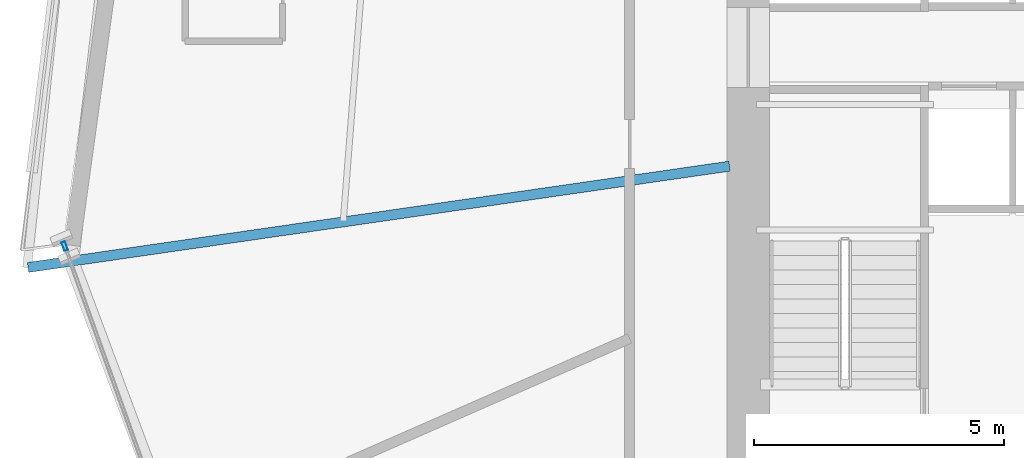
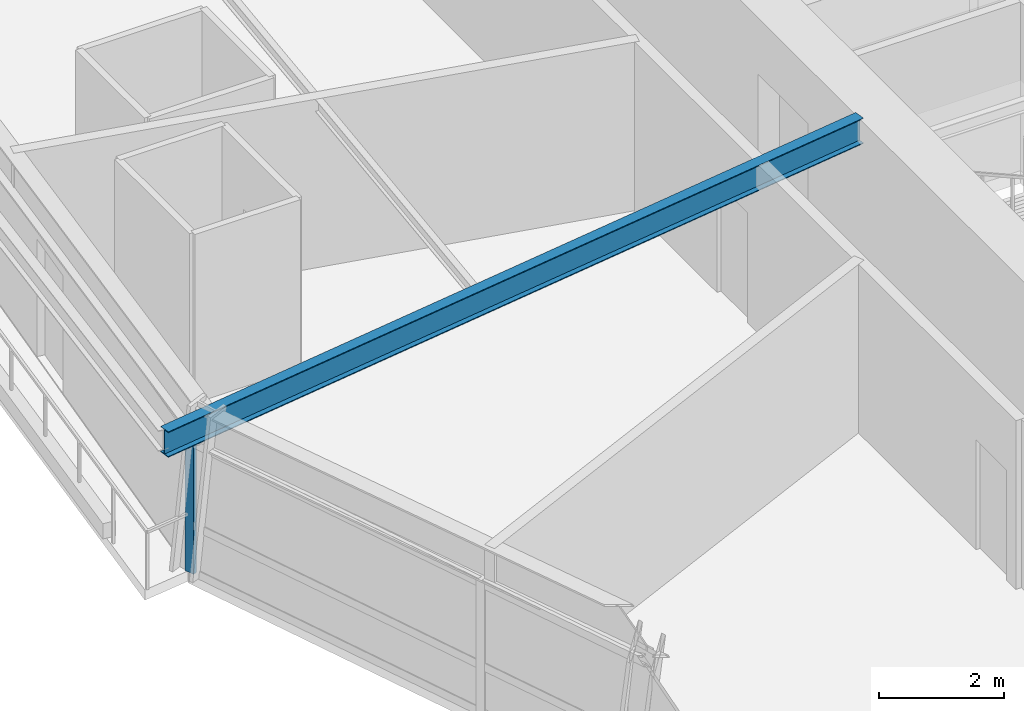
# One storey, part 6 of 24: 1 beam, 1 member, 1 element without a shape of its own.
"""IFC4 building model written with IfcOpenShell, lengths in metres."""

from ifc_helpers import new_model, si_unit, direction, frame, origin, origin_2d, place, context, subcontext, project, spatial, hollow_rectangle, i_section, extrude, source, transform, mapped, material, material_profile, profile_set, type_object, element, aggregate, save


model = new_model("IFC4")

# Units and contexts
model_context = context("Model", 3, precision=1e-05, world=origin(), true_north=direction((0.0, 1.0)))
body_context = subcontext(model_context, "Body", "Model", "MODEL_VIEW")
ifc_project = project(units=[si_unit("LENGTHUNIT", "METRE"), si_unit("AREAUNIT", "SQUARE_METRE"), si_unit("VOLUMEUNIT", "CUBIC_METRE"), si_unit("PLANEANGLEUNIT", "RADIAN"), si_unit("MASSUNIT", "GRAM", prefix="KILO")], contexts=[model_context])

# Site, building, storey
site_placement = place(None, origin())
site = spatial("IfcSite", under=ifc_project, at=site_placement, CompositionType="ELEMENT")
building_placement = place(site_placement, origin())
building = spatial("IfcBuilding", under=site, at=building_placement, Name="Olszyna Solenne Hotel", CompositionType="ELEMENT")
storey_placement = place(building_placement, frame((0.0, 0.0, 64.800048828125)))
storey = spatial("IfcBuildingStorey", under=building, at=storey_placement, Name="L16", CompositionType="ELEMENT", Elevation=64.800048828125)

# Beam
ifc_material_1 = material(Name="Steel S355J2", Category="steel")
ifc_material_profile_1 = material_profile(ifc_material_1, i_section(OverallWidth=0.199951171875, OverallDepth=0.5, WebThickness=0.01025390625, FlangeThickness=0.01611328125, at=origin_2d()), Name="IPE 500", Category="load-bearing")
ifc_profile_set_1 = profile_set([ifc_material_profile_1], Name="Steel S355J2")
beam_type = type_object("IfcBeamType", Name="BM-F3", PredefinedType="BEAM", material=ifc_profile_set_1)
shared_shape_1 = source(origin(), body_context, "Body", "SweptSolid", [
    extrude(i_section(OverallWidth=0.199951171875, OverallDepth=0.5, WebThickness=0.01025390625, FlangeThickness=0.01611328125, at=origin_2d()), origin(), (0.0, 0.0, 1.0), 14.1826171875),
])
beam_placement = place(storey_placement, frame((15.262451171875, 23.3212890625, 3.050048828125), z_axis=(0.989742911578, 0.142859962835, 0.0), x_axis=(-0.142859962835, 0.989742911578, 0.0)))
element("IfcBeam", 1, at=beam_placement, inside=storey, type_object=beam_type, Name="Radial floor girder BM-F3 B-L16-0512", PredefinedType="BEAM", context=body_context, shape_type="MappedRepresentation", body=[
    mapped(shared_shape_1, transform((0.0, 0.0, 0.0), x_axis=(1.0, 0.0, 0.0), y_axis=(0.0, 1.0, 0.0), z_axis=(0.0, 0.0, 1.0), scale=1.0)),
])

# Curtain wall, member
ifc_material_2 = material(Name="Anodised bronze aluminium", Category="aluminium")
curtain_wall_type = type_object("IfcCurtainWallType", Name="CW-SYS-2", PredefinedType="NOTDEFINED", material=ifc_material_2)
curtain_wall_placement = place(storey_placement, origin())
curtain_wall = element("IfcCurtainWall", 2, at=curtain_wall_placement, inside=storey, type_object=curtain_wall_type, Name="Unitised curtain wall CW-SYS-2 CW-L16-01", PredefinedType="NOTDEFINED")
ifc_material_profile_2 = material_profile(ifc_material_2, hollow_rectangle(XDim=0.074951171875, YDim=0.179931640625, WallThickness=0.00439453125, at=origin_2d()), Name="MULL 180x75x4.5", Category="load-bearing")
ifc_profile_set_2 = profile_set([ifc_material_profile_2], Name="Anodised bronze aluminium")
member_type = type_object("IfcMemberType", Name="CW-M2", PredefinedType="MULLION", material=ifc_profile_set_2)
shared_shape_2 = source(origin(), body_context, "Body", "SweptSolid", [
    extrude(hollow_rectangle(XDim=0.074951171875, YDim=0.179931640625, WallThickness=0.00439453125, at=origin_2d()), origin(), (0.0, 0.0, 1.0), 2.592041015625),
])
member_placement = place(storey_placement, frame((15.995361328125, 23.747802734375, 0.0), z_axis=(0.0, 0.0, 1.0), x_axis=(0.941289089239, 0.337601615042, 0.0)))
member = element("IfcMember", 3, at=member_placement, type_object=member_type, Name="Curtain-wall mullion CW-M2 CM-L16-01-01", PredefinedType="MULLION", context=body_context, shape_type="MappedRepresentation", body=[
    mapped(shared_shape_2, transform((0.0, 0.0, 0.0), x_axis=(1.0, 0.0, 0.0), y_axis=(0.0, 1.0, 0.0), z_axis=(0.0, 0.0, 1.0), scale=1.0)),
])
aggregate(curtain_wall, [member])

save(model, "model.ifc")
